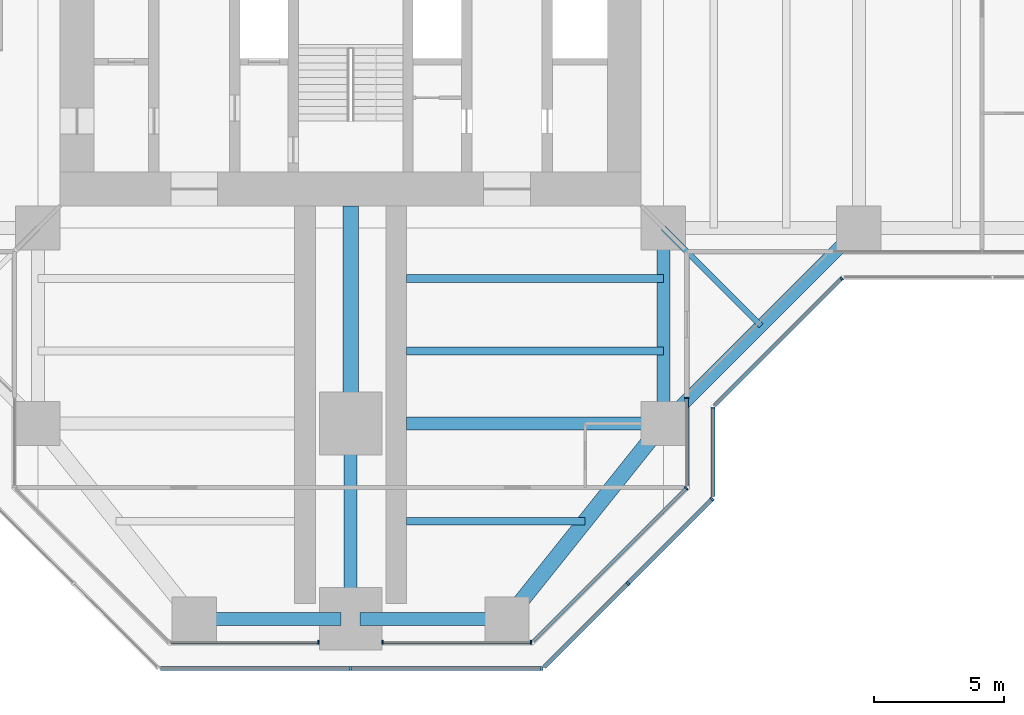
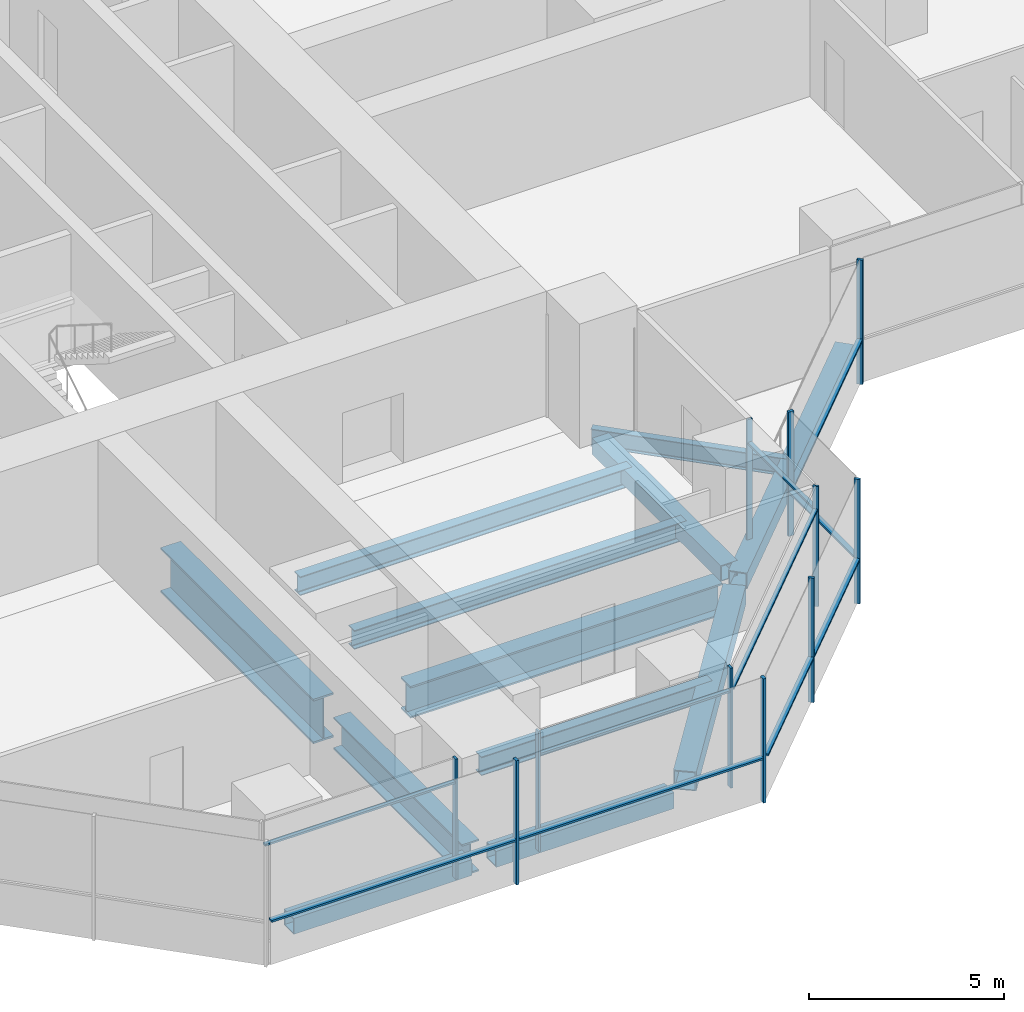
# One storey, part 4 of 19: 21 members, 12 beams, 8 elements without a shape of their own.
"""IFC4 building model written with IfcOpenShell, lengths in metres."""

from ifc_helpers import new_model, si_unit, direction, frame, origin, origin_2d, place, context, subcontext, project, spatial, rectangle, hollow_rectangle, i_section, extrude, material, material_profile, profile_set, type_object, element, aggregate, save


model = new_model("IFC4")

# Units and contexts
model_context = context("Model", 3, precision=1e-05, world=origin(), true_north=direction((0.0, 1.0)))
body_context = subcontext(model_context, "Body", "Model", "MODEL_VIEW")
ifc_project = project(units=[si_unit("LENGTHUNIT", "METRE"), si_unit("AREAUNIT", "SQUARE_METRE"), si_unit("VOLUMEUNIT", "CUBIC_METRE"), si_unit("PLANEANGLEUNIT", "RADIAN"), si_unit("MASSUNIT", "GRAM", prefix="KILO")], contexts=[model_context])

# Site, building, storey
site_placement = place(None, origin())
site = spatial("IfcSite", under=ifc_project, at=site_placement, CompositionType="ELEMENT")
building_placement = place(site_placement, origin())
building = spatial("IfcBuilding", under=site, at=building_placement, Name="Mizan Broadcast Tower", CompositionType="ELEMENT")
storey_placement = place(building_placement, frame((0.0, 0.0, 128.10009765625)))
storey = spatial("IfcBuildingStorey", under=building, at=storey_placement, Name="L28", CompositionType="ELEMENT", Elevation=128.10009765625)

# Beams
ifc_material_1 = material(Name="Steel S355", Category="steel")
ifc_material_profile_1 = material_profile(ifc_material_1, hollow_rectangle(XDim=0.5, YDim=0.5, WallThickness=0.030029296875, at=origin_2d()), Name="BOX 500x500x30")
ifc_profile_set_1 = profile_set([ifc_material_profile_1], Name="Steel S355")
beam_type_1 = type_object("IfcBeamType", Name="EDGE BEAM BOX 500x500x30", PredefinedType="SPANDREL", material=ifc_profile_set_1)
beam_1_placement = place(storey_placement, frame((-5.639892578125, -27.0, -0.380126953125), z_axis=(1.0, 0.0, 0.0), x_axis=(0.0, 1.0, 0.0)))
element("IfcBeam", 1, at=beam_1_placement, inside=storey, type_object=beam_type_1, Name="Edge beam BOX 500x500x30 L28 south arm", PredefinedType="SPANDREL", context=body_context, shape_type="SweptSolid", body=[
    extrude(hollow_rectangle(XDim=0.5, YDim=0.5, WallThickness=0.030029296875, at=origin_2d()), origin(), (0.0, 0.0, 1.0), 5.27978515625),
])
beam_2_placement = place(storey_placement, frame((12.0, -12.449951171875, -0.380126953125), z_axis=(0.0, -1.0, 0.0), x_axis=(1.0, 0.0, 0.0)))
element("IfcBeam", 2, at=beam_2_placement, inside=storey, type_object=beam_type_1, Name="Edge beam BOX 500x500x30 L28 south arm", PredefinedType="SPANDREL", context=body_context, shape_type="SweptSolid", body=[
    extrude(hollow_rectangle(XDim=0.5, YDim=0.5, WallThickness=0.030029296875, at=origin_2d()), origin(), (0.0, 0.0, 1.0), 6.60009765625),
])
beam_3_placement = place(storey_placement, frame((5.639892578125, -27.0, -0.380126953125), z_axis=(-1.0, 0.0, 0.0), x_axis=(0.0, -1.0, 0.0)))
element("IfcBeam", 3, at=beam_3_placement, inside=storey, type_object=beam_type_1, Name="Edge beam BOX 500x500x30 L28 south arm", PredefinedType="SPANDREL", context=body_context, shape_type="SweptSolid", body=[
    extrude(hollow_rectangle(XDim=0.5, YDim=0.5, WallThickness=0.030029296875, at=origin_2d()), origin(), (0.0, 0.0, 1.0), 5.27978515625),
])
beam_4_placement = place(storey_placement, frame((12.0, -19.5, -0.380126953125), z_axis=(0.707106781187, 0.707106781187, 0.0), x_axis=(-0.707106781187, 0.707106781187, 0.0)))
element("IfcBeam", 4, at=beam_4_placement, inside=storey, type_object=beam_type_1, Name="Winter garden edge beam L28 S", PredefinedType="SPANDREL", context=body_context, shape_type="SweptSolid", body=[
    extrude(hollow_rectangle(XDim=0.5, YDim=0.5, WallThickness=0.030029296875, at=origin_2d()), origin(), (0.0, 0.0, 1.0), 10.606689453125),
])
ifc_material_2 = material(Name="Steel S355", Category="steel")
ifc_material_profile_2 = material_profile(ifc_material_2, hollow_rectangle(XDim=0.60009765625, YDim=0.60009765625, WallThickness=0.030029296875, at=origin_2d()), Name="BOX 600x600x30")
ifc_profile_set_2 = profile_set([ifc_material_profile_2], Name="Steel S355")
beam_type_2 = type_object("IfcBeamType", Name="EDGE BEAM BOX 600x600x30", PredefinedType="SPANDREL", material=ifc_profile_set_2)
beam_5_placement = place(storey_placement, frame((11.639892578125, -19.949951171875, -0.43017578125), z_axis=(-0.624673911726, -0.780885717636, 0.0), x_axis=(0.780885717636, -0.624673911726, 0.0)))
element("IfcBeam", 5, at=beam_5_placement, inside=storey, type_object=beam_type_2, Name="Edge beam BOX 600x600x30 L28 south arm", PredefinedType="SPANDREL", context=body_context, shape_type="SweptSolid", body=[
    extrude(hollow_rectangle(XDim=0.60009765625, YDim=0.60009765625, WallThickness=0.030029296875, at=origin_2d()), origin(), (0.0, 0.0, 1.0), 8.4521484375),
])
ifc_material_3 = material(Name="Steel S460", Category="steel")
ifc_material_profile_3 = material_profile(ifc_material_3, i_section(OverallWidth=0.5, OverallDepth=1.0, WebThickness=0.02490234375, FlangeThickness=0.050048828125, at=origin_2d()), Name="WPG 1000x500")
ifc_profile_set_3 = profile_set([ifc_material_profile_3], Name="Steel S460")
beam_type_3 = type_object("IfcBeamType", Name="GIRDER WPG 1000x500", PredefinedType="BEAM", material=ifc_profile_set_3)
beam_6_placement = place(storey_placement, frame((0.0, -19.949951171875, -0.630126953125), z_axis=(0.0, -1.0, 0.0), x_axis=(1.0, 0.0, 0.0)))
element("IfcBeam", 6, at=beam_6_placement, inside=storey, type_object=beam_type_3, Name="Girder WPG 1000x500 L28 south arm", PredefinedType="BEAM", context=body_context, shape_type="SweptSolid", body=[
    extrude(i_section(OverallWidth=0.5, OverallDepth=1.0, WebThickness=0.02490234375, FlangeThickness=0.050048828125, at=origin_2d()), origin(), (0.0, 0.0, 1.0), 6.60009765625),
])
beam_7_placement = place(storey_placement, frame((11.408935546875, -19.5, -0.630126953125), z_axis=(-1.0, 0.0, 0.0), x_axis=(0.0, -1.0, 0.0)))
element("IfcBeam", 7, at=beam_7_placement, inside=storey, type_object=beam_type_3, Name="Girder WPG 1000x500 L28 south arm", PredefinedType="BEAM", context=body_context, shape_type="SweptSolid", body=[
    extrude(i_section(OverallWidth=0.5, OverallDepth=1.0, WebThickness=0.02490234375, FlangeThickness=0.050048828125, at=origin_2d()), origin(), (0.0, 0.0, 1.0), 9.259033203125),
])
ifc_material_4 = material(Name="Steel S460", Category="steel")
ifc_material_profile_4 = material_profile(ifc_material_4, i_section(OverallWidth=0.60009765625, OverallDepth=1.39990234375, WebThickness=0.02490234375, FlangeThickness=0.06005859375, at=origin_2d()), Name="WPG 1400x600")
ifc_profile_set_4 = profile_set([ifc_material_profile_4], Name="Steel S460")
beam_type_4 = type_object("IfcBeamType", Name="GIRDER WPG 1400x600", PredefinedType="BEAM", material=ifc_profile_set_4)
beam_8_placement = place(storey_placement, frame((0.0, -11.14990234375, -0.830078125), z_axis=(0.0, -1.0, 0.0), x_axis=(1.0, 0.0, 0.0)))
element("IfcBeam", 8, at=beam_8_placement, inside=storey, type_object=beam_type_4, Name="Girder WPG 1400x600 L28 south arm", PredefinedType="BEAM", context=body_context, shape_type="SweptSolid", body=[
    extrude(i_section(OverallWidth=0.60009765625, OverallDepth=1.39990234375, WebThickness=0.02490234375, FlangeThickness=0.06005859375, at=origin_2d()), origin(), (0.0, 0.0, 1.0), 7.84912109375),
])

# Curtain wall, member
ifc_material_5 = material(Name="Aluminium framed glazing", Category="aluminium")
curtain_wall_type_1 = type_object("IfcCurtainWallType", Name="INNER SKIN MID ZONE", PredefinedType="USERDEFINED", material=ifc_material_5)
curtain_wall_1_placement = place(storey_placement, origin())
curtain_wall_1 = element("IfcCurtainWall", 9, at=curtain_wall_1_placement, inside=storey, type_object=curtain_wall_type_1, Name="Inner skin mid zone L28 S end", ObjectType="INNER SKIN MID ZONE", PredefinedType="USERDEFINED")
ifc_material_6 = material(Name="Aluminium, pale anodised", Category="aluminium")
ifc_material_profile_5 = material_profile(ifc_material_6, rectangle(XDim=0.159912109375, YDim=0.06005859375, at=origin_2d()), Name="MULLION 160x60")
ifc_profile_set_5 = profile_set([ifc_material_profile_5], Name="Aluminium, pale anodised")
member_type_1 = type_object("IfcMemberType", Name="INNER SKIN MULLION 60x160", PredefinedType="MULLION", material=ifc_profile_set_5)
member_1_placement = place(storey_placement, frame((-1.22998046875, -27.89990234375, 0.0), z_axis=(0.0, 0.0, 1.0), x_axis=(0.0, 1.0, 0.0)))
member_1 = element("IfcMember", 10, at=member_1_placement, type_object=member_type_1, Name="Inner skin mid zone L28 S end mullion 2", PredefinedType="MULLION", context=body_context, shape_type="SweptSolid", body=[
    extrude(rectangle(XDim=0.159912109375, YDim=0.06005859375, at=origin_2d()), origin(), (0.0, 0.0, 1.0), 3.77001953125),
])

# Curtain wall, members
curtain_wall_2_placement = place(storey_placement, origin())
curtain_wall_2 = element("IfcCurtainWall", 11, at=curtain_wall_2_placement, inside=storey, type_object=curtain_wall_type_1, Name="Inner skin mid zone L28 S end", ObjectType="INNER SKIN MID ZONE", PredefinedType="USERDEFINED")
member_2_placement = place(storey_placement, frame((1.22998046875, -27.89990234375, 0.0), z_axis=(0.0, 0.0, 1.0), x_axis=(0.0, 1.0, 0.0)))
member_2 = element("IfcMember", 12, at=member_2_placement, type_object=member_type_1, Name="Inner skin mid zone L28 S end mullion 1", PredefinedType="MULLION", context=body_context, shape_type="SweptSolid", body=[
    extrude(rectangle(XDim=0.159912109375, YDim=0.06005859375, at=origin_2d()), origin(), (0.0, 0.0, 1.0), 3.77001953125),
])
member_3_placement = place(storey_placement, frame((6.928466796875, -27.89990234375, 0.0), z_axis=(0.0, 0.0, 1.0), x_axis=(0.0, 1.0, 0.0)))
member_3 = element("IfcMember", 13, at=member_3_placement, type_object=member_type_1, Name="Inner skin mid zone L28 S end mullion 2", PredefinedType="MULLION", context=body_context, shape_type="SweptSolid", body=[
    extrude(rectangle(XDim=0.159912109375, YDim=0.06005859375, at=origin_2d()), origin(), (0.0, 0.0, 1.0), 3.77001953125),
])

# Curtain wall, member
curtain_wall_3_placement = place(storey_placement, origin())
curtain_wall_3 = element("IfcCurtainWall", 14, at=curtain_wall_3_placement, inside=storey, type_object=curtain_wall_type_1, Name="Inner skin mid zone L28 S chamfer", ObjectType="INNER SKIN MID ZONE", PredefinedType="USERDEFINED")
member_4_placement = place(storey_placement, frame((12.87890625, -21.979736328125, 0.0), z_axis=(0.0, 0.0, 1.0), x_axis=(-0.707106781187, 0.707106781187, 0.0)))
member_4 = element("IfcMember", 15, at=member_4_placement, type_object=member_type_1, Name="Inner skin mid zone L28 S chamfer mullion 2", PredefinedType="MULLION", context=body_context, shape_type="SweptSolid", body=[
    extrude(rectangle(XDim=0.159912109375, YDim=0.06005859375, at=origin_2d()), origin(), (0.0, 0.0, 1.0), 3.77001953125),
])

curtain_wall_4_placement = place(storey_placement, origin())
curtain_wall_4 = element("IfcCurtainWall", 16, at=curtain_wall_4_placement, inside=storey, type_object=curtain_wall_type_1, Name="Inner skin mid zone L28 S side", ObjectType="INNER SKIN MID ZONE", PredefinedType="USERDEFINED")
member_5_placement = place(storey_placement, frame((12.89990234375, -18.530029296875, 0.0), z_axis=(0.0, 0.0, 1.0), x_axis=(-1.0, 0.0, 0.0)))
member_5 = element("IfcMember", 17, at=member_5_placement, type_object=member_type_1, Name="Inner skin mid zone L28 S side mullion 2", PredefinedType="MULLION", context=body_context, shape_type="SweptSolid", body=[
    extrude(rectangle(XDim=0.159912109375, YDim=0.06005859375, at=origin_2d()), origin(), (0.0, 0.0, 1.0), 3.77001953125),
])

# Member
ifc_material_7 = material(Name="Aluminium, pale anodised", Category="aluminium")
ifc_material_profile_6 = material_profile(ifc_material_7, rectangle(XDim=0.1201171875, YDim=0.06005859375, at=origin_2d()), Name="TRANSOM 120x60")
ifc_profile_set_6 = profile_set([ifc_material_profile_6], Name="Aluminium, pale anodised")
member_type_2 = type_object("IfcMemberType", Name="INNER SKIN TRANSOM 60x120", PredefinedType="USERDEFINED", material=ifc_profile_set_6)
member_6_placement = place(storey_placement, frame((-6.898681640625, -27.89990234375, 3.02978515625), z_axis=(1.0, 0.0, 0.0), x_axis=(0.0, 1.0, 0.0)))
member_6 = element("IfcMember", 18, at=member_6_placement, type_object=member_type_2, Name="Inner skin mid zone L28 S end transom 1.1", ObjectType="TRANSOM", PredefinedType="USERDEFINED", context=body_context, shape_type="SweptSolid", body=[
    extrude(rectangle(XDim=0.1201171875, YDim=0.06005859375, at=origin_2d()), origin(), (0.0, 0.0, 1.0), 5.638671875),
])

aggregate(curtain_wall_1, [member_1, member_6])

member_7_placement = place(storey_placement, frame((1.260009765625, -27.89990234375, 3.02978515625), z_axis=(1.0, 0.0, 0.0), x_axis=(0.0, 1.0, 0.0)))
member_7 = element("IfcMember", 19, at=member_7_placement, type_object=member_type_2, Name="Inner skin mid zone L28 S end transom 1.1", ObjectType="TRANSOM", PredefinedType="USERDEFINED", context=body_context, shape_type="SweptSolid", body=[
    extrude(rectangle(XDim=0.1201171875, YDim=0.06005859375, at=origin_2d()), origin(), (0.0, 0.0, 1.0), 5.638671875),
])

aggregate(curtain_wall_2, [member_2, member_3, member_7])

member_8_placement = place(storey_placement, frame((7.0009765625, -27.857666015625, 3.02978515625), z_axis=(0.707106781187, 0.707106781187, 0.0), x_axis=(-0.707106781187, 0.707106781187, 0.0)))
member_8 = element("IfcMember", 20, at=member_8_placement, type_object=member_type_2, Name="Inner skin mid zone L28 S chamfer transom 1.1", ObjectType="TRANSOM", PredefinedType="USERDEFINED", context=body_context, shape_type="SweptSolid", body=[
    extrude(rectangle(XDim=0.1201171875, YDim=0.06005859375, at=origin_2d()), origin(), (0.0, 0.0, 1.0), 8.28271484375),
])

aggregate(curtain_wall_3, [member_4, member_8])

member_9_placement = place(storey_placement, frame((12.89990234375, -21.898681640625, 3.02978515625), z_axis=(0.0, 1.0, 0.0), x_axis=(-1.0, 0.0, 0.0)))
member_9 = element("IfcMember", 21, at=member_9_placement, type_object=member_type_2, Name="Inner skin mid zone L28 S side transom 1.1", ObjectType="TRANSOM", PredefinedType="USERDEFINED", context=body_context, shape_type="SweptSolid", body=[
    extrude(rectangle(XDim=0.1201171875, YDim=0.06005859375, at=origin_2d()), origin(), (0.0, 0.0, 1.0), 3.338623046875),
])

aggregate(curtain_wall_4, [member_5, member_9])

# Curtain wall, members
ifc_material_8 = material(Name="Aluminium framed glazing", Category="aluminium")
curtain_wall_type_2 = type_object("IfcCurtainWallType", Name="OUTER SKIN", PredefinedType="USERDEFINED", material=ifc_material_8)
curtain_wall_5_placement = place(storey_placement, origin())
curtain_wall_5 = element("IfcCurtainWall", 22, at=curtain_wall_5_placement, inside=storey, type_object=curtain_wall_type_2, Name="Outer skin L28 S end", ObjectType="OUTER SKIN", PredefinedType="USERDEFINED")
ifc_material_9 = material(Name="Aluminium, pale anodised", Category="aluminium")
ifc_material_profile_7 = material_profile(ifc_material_9, rectangle(XDim=0.159912109375, YDim=0.080078125, at=origin_2d()), Name="MULLION 160x80")
ifc_profile_set_7 = profile_set([ifc_material_profile_7], Name="Aluminium, pale anodised")
member_type_3 = type_object("IfcMemberType", Name="OUTER SKIN MULLION 80x160", PredefinedType="MULLION", material=ifc_profile_set_7)
member_10_placement = place(storey_placement, frame((0.0, -28.89990234375, 0.0), z_axis=(0.0, 0.0, 1.0), x_axis=(0.0, 1.0, 0.0)))
member_10 = element("IfcMember", 23, at=member_10_placement, type_object=member_type_3, Name="Outer skin L28 S end mullion 2", PredefinedType="MULLION", context=body_context, shape_type="SweptSolid", body=[
    extrude(rectangle(XDim=0.159912109375, YDim=0.080078125, at=origin_2d()), origin(), (0.0, 0.0, 1.0), 3.89990234375),
])
member_11_placement = place(storey_placement, frame((7.332763671875, -28.89990234375, 0.0), z_axis=(0.0, 0.0, 1.0), x_axis=(0.0, 1.0, 0.0)))
member_11 = element("IfcMember", 24, at=member_11_placement, type_object=member_type_3, Name="Outer skin L28 S end mullion 3", PredefinedType="MULLION", context=body_context, shape_type="SweptSolid", body=[
    extrude(rectangle(XDim=0.159912109375, YDim=0.080078125, at=origin_2d()), origin(), (0.0, 0.0, 1.0), 3.89990234375),
])

curtain_wall_6_placement = place(storey_placement, origin())
curtain_wall_6 = element("IfcCurtainWall", 25, at=curtain_wall_6_placement, inside=storey, type_object=curtain_wall_type_2, Name="Outer skin L28 S chamfer", ObjectType="OUTER SKIN", PredefinedType="USERDEFINED")
member_12_placement = place(storey_placement, frame((10.636474609375, -25.636474609375, 0.0), z_axis=(0.0, 0.0, 1.0), x_axis=(-0.707106781187, 0.707106781187, 0.0)))
member_12 = element("IfcMember", 26, at=member_12_placement, type_object=member_type_3, Name="Outer skin L28 S chamfer mullion 2", PredefinedType="MULLION", context=body_context, shape_type="SweptSolid", body=[
    extrude(rectangle(XDim=0.159912109375, YDim=0.080078125, at=origin_2d()), origin(), (0.0, 0.0, 1.0), 3.89990234375),
])
member_13_placement = place(storey_placement, frame((13.871826171875, -22.401123046875, 0.0), z_axis=(0.0, 0.0, 1.0), x_axis=(-0.707106781187, 0.707106781187, 0.0)))
member_13 = element("IfcMember", 27, at=member_13_placement, type_object=member_type_3, Name="Outer skin L28 S chamfer mullion 3", PredefinedType="MULLION", context=body_context, shape_type="SweptSolid", body=[
    extrude(rectangle(XDim=0.159912109375, YDim=0.080078125, at=origin_2d()), origin(), (0.0, 0.0, 1.0), 3.89990234375),
])

# Curtain wall, member
curtain_wall_7_placement = place(storey_placement, origin())
curtain_wall_7 = element("IfcCurtainWall", 28, at=curtain_wall_7_placement, inside=storey, type_object=curtain_wall_type_2, Name="Outer skin L28 S side", ObjectType="OUTER SKIN", PredefinedType="USERDEFINED")
member_14_placement = place(storey_placement, frame((13.89990234375, -18.912841796875, 0.0), z_axis=(0.0, 0.0, 1.0), x_axis=(-1.0, 0.0, 0.0)))
member_14 = element("IfcMember", 29, at=member_14_placement, type_object=member_type_3, Name="Outer skin L28 S side mullion 2", PredefinedType="MULLION", context=body_context, shape_type="SweptSolid", body=[
    extrude(rectangle(XDim=0.159912109375, YDim=0.080078125, at=origin_2d()), origin(), (0.0, 0.0, 1.0), 3.89990234375),
])

curtain_wall_8_placement = place(storey_placement, origin())
curtain_wall_8 = element("IfcCurtainWall", 30, at=curtain_wall_8_placement, inside=storey, type_object=curtain_wall_type_2, Name="Outer skin L28 E chamfer", ObjectType="OUTER SKIN", PredefinedType="USERDEFINED")
member_15_placement = place(storey_placement, frame((18.844482421875, -13.92822265625, 0.0), z_axis=(0.0, 0.0, 1.0), x_axis=(-0.707106781187, 0.707106781187, 0.0)))
member_15 = element("IfcMember", 31, at=member_15_placement, type_object=member_type_3, Name="Outer skin L28 E chamfer mullion 2", PredefinedType="MULLION", context=body_context, shape_type="SweptSolid", body=[
    extrude(rectangle(XDim=0.159912109375, YDim=0.080078125, at=origin_2d()), origin(), (0.0, 0.0, 1.0), 3.89990234375),
])

# Member
ifc_material_10 = material(Name="Aluminium, pale anodised", Category="aluminium")
ifc_material_profile_8 = material_profile(ifc_material_10, rectangle(XDim=0.159912109375, YDim=0.06005859375, at=origin_2d()), Name="TRANSOM 160x60")
ifc_profile_set_8 = profile_set([ifc_material_profile_8], Name="Aluminium, pale anodised")
member_type_4 = type_object("IfcMemberType", Name="OUTER SKIN TRANSOM 60x160", PredefinedType="USERDEFINED", material=ifc_profile_set_8)
member_16_placement = place(storey_placement, frame((-7.292724609375, -28.89990234375, 1.39990234375), z_axis=(1.0, 0.0, 0.0), x_axis=(0.0, 1.0, 0.0)))
member_16 = element("IfcMember", 32, at=member_16_placement, type_object=member_type_4, Name="Outer skin L28 S end transom 1.1", ObjectType="TRANSOM", PredefinedType="USERDEFINED", context=body_context, shape_type="SweptSolid", body=[
    extrude(rectangle(XDim=0.159912109375, YDim=0.06005859375, at=origin_2d()), origin(), (0.0, 0.0, 1.0), 7.252685546875),
])

member_17_placement = place(storey_placement, frame((0.0400390625, -28.89990234375, 1.39990234375), z_axis=(1.0, 0.0, 0.0), x_axis=(0.0, 1.0, 0.0)))
member_17 = element("IfcMember", 33, at=member_17_placement, type_object=member_type_4, Name="Outer skin L28 S end transom 2.1", ObjectType="TRANSOM", PredefinedType="USERDEFINED", context=body_context, shape_type="SweptSolid", body=[
    extrude(rectangle(XDim=0.159912109375, YDim=0.06005859375, at=origin_2d()), origin(), (0.0, 0.0, 1.0), 7.252685546875),
])

aggregate(curtain_wall_5, [member_10, member_11, member_16, member_17])

member_18_placement = place(storey_placement, frame((7.429443359375, -28.843505859375, 1.39990234375), z_axis=(0.707106781187, 0.707106781187, 0.0), x_axis=(-0.707106781187, 0.707106781187, 0.0)))
member_18 = element("IfcMember", 34, at=member_18_placement, type_object=member_type_4, Name="Outer skin L28 S chamfer transom 1.1", ObjectType="TRANSOM", PredefinedType="USERDEFINED", context=body_context, shape_type="SweptSolid", body=[
    extrude(rectangle(XDim=0.159912109375, YDim=0.06005859375, at=origin_2d()), origin(), (0.0, 0.0, 1.0), 4.495361328125),
])

member_19_placement = place(storey_placement, frame((10.664794921875, -25.608154296875, 1.39990234375), z_axis=(0.707106781187, 0.707106781187, 0.0), x_axis=(-0.707106781187, 0.707106781187, 0.0)))
member_19 = element("IfcMember", 35, at=member_19_placement, type_object=member_type_4, Name="Outer skin L28 S chamfer transom 2.1", ObjectType="TRANSOM", PredefinedType="USERDEFINED", context=body_context, shape_type="SweptSolid", body=[
    extrude(rectangle(XDim=0.159912109375, YDim=0.06005859375, at=origin_2d()), origin(), (0.0, 0.0, 1.0), 4.495361328125),
])

aggregate(curtain_wall_6, [member_12, member_13, member_18, member_19])

member_20_placement = place(storey_placement, frame((13.89990234375, -22.292724609375, 1.39990234375), z_axis=(0.0, 1.0, 0.0), x_axis=(-1.0, 0.0, 0.0)))
member_20 = element("IfcMember", 36, at=member_20_placement, type_object=member_type_4, Name="Outer skin L28 S side transom 1.1", ObjectType="TRANSOM", PredefinedType="USERDEFINED", context=body_context, shape_type="SweptSolid", body=[
    extrude(rectangle(XDim=0.159912109375, YDim=0.06005859375, at=origin_2d()), origin(), (0.0, 0.0, 1.0), 3.33984375),
])

aggregate(curtain_wall_7, [member_14, member_20])

member_21_placement = place(storey_placement, frame((13.95654296875, -18.816162109375, 1.39990234375), z_axis=(0.707106781187, 0.707106781187, 0.0), x_axis=(-0.707106781187, 0.707106781187, 0.0)))
member_21 = element("IfcMember", 37, at=member_21_placement, type_object=member_type_4, Name="Outer skin L28 E chamfer transom 1.1", ObjectType="TRANSOM", PredefinedType="USERDEFINED", context=body_context, shape_type="SweptSolid", body=[
    extrude(rectangle(XDim=0.159912109375, YDim=0.06005859375, at=origin_2d()), origin(), (0.0, 0.0, 1.0), 6.87255859375),
])

aggregate(curtain_wall_8, [member_15, member_21])

# Beams
ifc_material_11 = material(Name="Steel S355", Category="steel")
ifc_material_profile_9 = material_profile(ifc_material_11, i_section(OverallWidth=0.300048828125, OverallDepth=0.590087890625, WebThickness=0.012939453125, FlangeThickness=0.02490234375, FilletRadius=0.027099609375, at=origin_2d()), Name="HEA 600")
ifc_profile_set_9 = profile_set([ifc_material_profile_9], Name="Steel S355")
beam_type_5 = type_object("IfcBeamType", Name="SECONDARY BEAM HEA 600", PredefinedType="JOIST", material=ifc_profile_set_9)
for number, where, z_axis, x_axis, name in (
    (38, (12.0, -13.933349609375, -0.425048828125), (-1.0, 0.0, 0.0), (0.0, -1.0, 0.0), "Secondary beam HEA 600 L28 south arm"),
    (39, (12.0, -16.716552734375, -0.425048828125), (-1.0, 0.0, 0.0), (0.0, -1.0, 0.0), "Secondary beam HEA 600 L28 south arm"),
):
    element("IfcBeam", number, at=place(storey_placement, frame(where, z_axis=z_axis, x_axis=x_axis)), inside=storey, type_object=beam_type_5, Name=name, PredefinedType="JOIST", context=body_context, shape_type="SweptSolid", body=[
        extrude(i_section(OverallWidth=0.300048828125, OverallDepth=0.590087890625, WebThickness=0.012939453125, FlangeThickness=0.02490234375, FilletRadius=0.027099609375, at=origin_2d()), origin(), (0.0, 0.0, 1.0), 9.85009765625),
    ])
beam_9_placement = place(storey_placement, frame((9.0, -23.25, -0.425048828125), z_axis=(-1.0, 0.0, 0.0), x_axis=(0.0, -1.0, 0.0)))
element("IfcBeam", 40, at=beam_9_placement, inside=storey, type_object=beam_type_5, Name="Secondary beam HEA 600 L28 south arm", PredefinedType="JOIST", context=body_context, shape_type="SweptSolid", body=[
    extrude(i_section(OverallWidth=0.300048828125, OverallDepth=0.590087890625, WebThickness=0.012939453125, FlangeThickness=0.02490234375, FilletRadius=0.027099609375, at=origin_2d()), origin(), (0.0, 0.0, 1.0), 6.85009765625),
])
ifc_material_12 = material(Name="Steel S355", Category="steel")
ifc_material_profile_10 = material_profile(ifc_material_12, i_section(OverallWidth=0.2099609375, OverallDepth=0.550048828125, WebThickness=0.010986328125, FlangeThickness=0.01708984375, FilletRadius=0.02392578125, at=origin_2d()), Name="IPE 550")
ifc_profile_set_10 = profile_set([ifc_material_profile_10], Name="Steel S355")
beam_type_6 = type_object("IfcBeamType", Name="SECONDARY BEAM IPE 550", PredefinedType="JOIST", material=ifc_profile_set_10)
beam_10_placement = place(storey_placement, frame((12.0, -12.0, -0.405029296875), z_axis=(0.707106781187, -0.707106781187, 0.0), x_axis=(0.707106781187, 0.707106781187, 0.0)))
element("IfcBeam", 41, at=beam_10_placement, inside=storey, type_object=beam_type_6, Name="Winter garden beam L28 S", PredefinedType="JOIST", context=body_context, shape_type="SweptSolid", body=[
    extrude(i_section(OverallWidth=0.2099609375, OverallDepth=0.550048828125, WebThickness=0.010986328125, FlangeThickness=0.01708984375, FilletRadius=0.02392578125, at=origin_2d()), origin(), (0.0, 0.0, 1.0), 5.30322265625),
])

save(model, "model.ifc")
